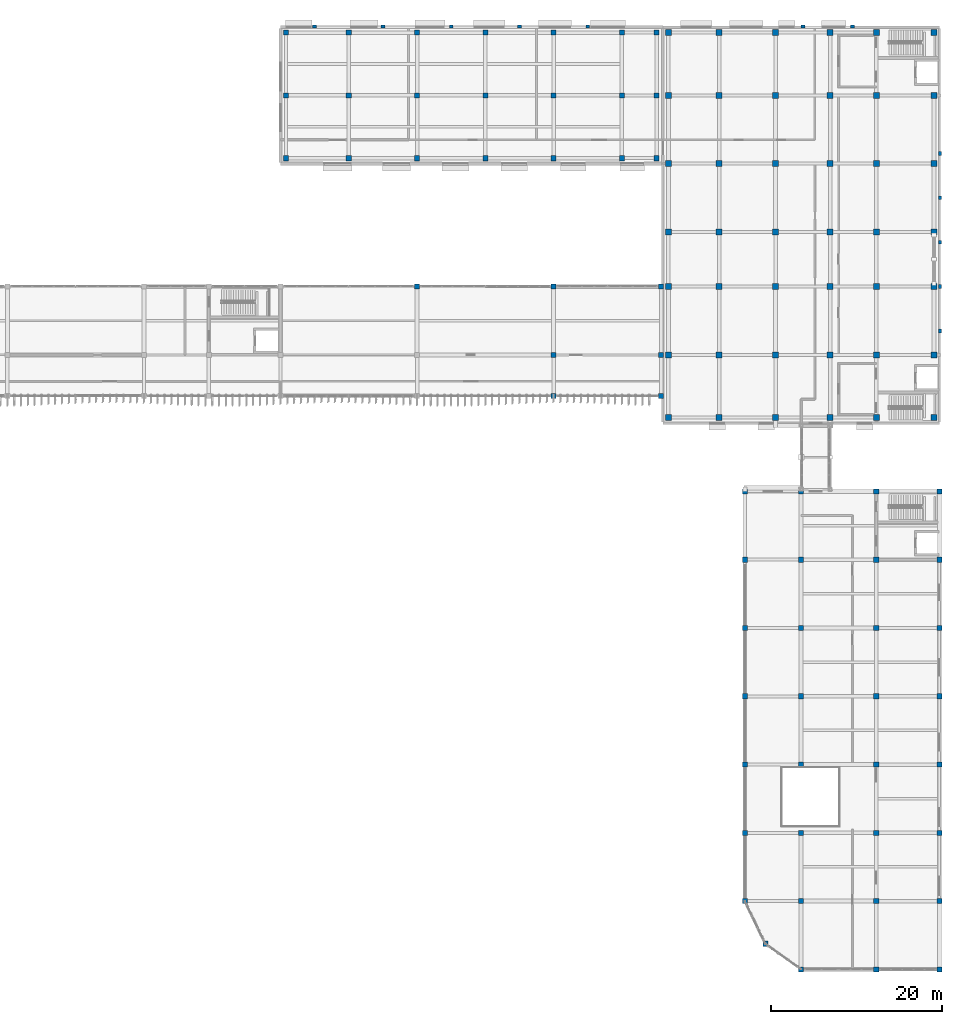
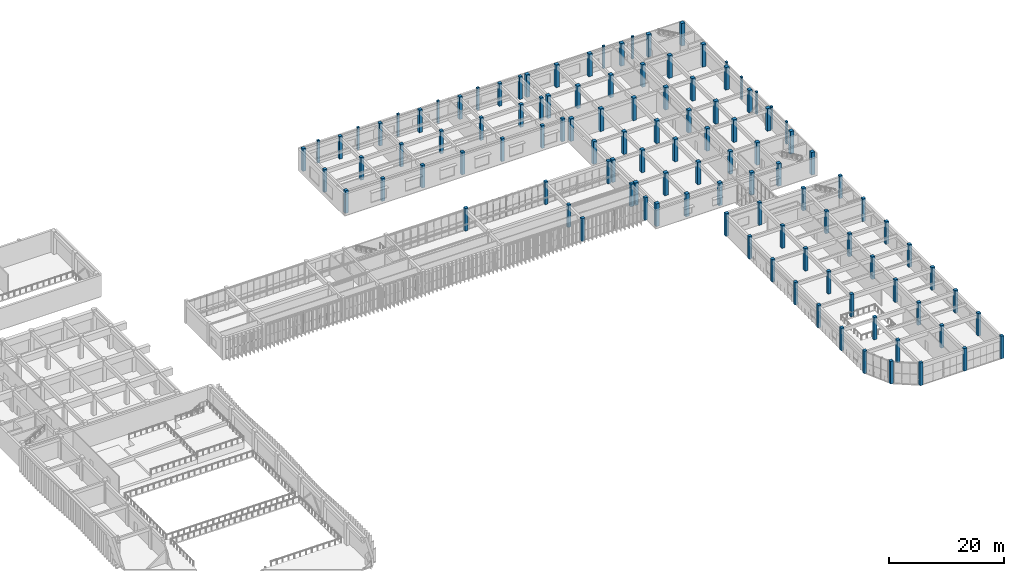
# One storey, part 3 of 64: 114 columns.
"""IFC4 building model written with IfcOpenShell, lengths in metres."""

from ifc_helpers import new_model, si_unit, direction, frame, origin, origin_2d, place, context, subcontext, project, spatial, rectangle, extrude, material, material_profile, profile_set, type_object, element, save


model = new_model("IFC4")

# Units and contexts
model_context = context("Model", 3, precision=1e-05, world=origin(), true_north=direction((0.0, 1.0)))
body_context = subcontext(model_context, "Body", "Model", "MODEL_VIEW")
ifc_project = project(units=[si_unit("LENGTHUNIT", "METRE"), si_unit("AREAUNIT", "SQUARE_METRE"), si_unit("VOLUMEUNIT", "CUBIC_METRE"), si_unit("PLANEANGLEUNIT", "RADIAN"), si_unit("MASSUNIT", "GRAM", prefix="KILO")], contexts=[model_context])

# Site, building, storey
site_placement = place(None, origin())
site = spatial("IfcSite", under=ifc_project, at=site_placement, CompositionType="ELEMENT")
building_placement = place(site_placement, origin())
building = spatial("IfcBuilding", under=site, at=building_placement, Name="Cinchona Park Media Centre", CompositionType="ELEMENT")
storey_placement = place(building_placement, frame((0.0, 0.0, 5.39990234375)))
storey = spatial("IfcBuildingStorey", under=building, at=storey_placement, Name="L01", CompositionType="ELEMENT", Elevation=5.39990234375)

# Columns
ifc_material_1 = material(Name="Concrete C40/50", Category="concrete")
ifc_material_profile_1 = material_profile(ifc_material_1, rectangle(XDim=0.699951171875, YDim=0.699951171875, at=origin_2d()), Name="RC 700X700")
ifc_profile_set_1 = profile_set([ifc_material_profile_1], Name="Concrete C40/50")
column_type_1 = type_object("IfcColumnType", Name="COL-C02-RC700X700", PredefinedType="COLUMN", material=ifc_profile_set_1)
for number, where, z_axis, x_axis, name in (
    (1, (140.239990234375, 72.239990234375, 0.0), (0.0, 0.0, 1.0), (1.0, 0.0, 0.0), "Column C02 L01"),
    (2, (140.239990234375, 79.60009765625, 0.0), (0.0, 0.0, 1.0), (1.0, 0.0, 0.0), "Column C02 L01"),
    (3, (140.239990234375, 87.60009765625, 0.0), (0.0, 0.0, 1.0), (1.0, 0.0, 0.0), "Column C02 L01"),
    (4, (140.239990234375, 94.0, 0.0), (0.0, 0.0, 1.0), (1.0, 0.0, 0.0), "Column C02 L01"),
    (5, (140.239990234375, 102.0, 0.0), (0.0, 0.0, 1.0), (1.0, 0.0, 0.0), "Column C02 L01"),
    (6, (140.239990234375, 110.0, 0.0), (0.0, 0.0, 1.0), (1.0, 0.0, 0.0), "Column C02 L01"),
    (7, (140.239990234375, 117.360107421875, 0.0), (0.0, 0.0, 1.0), (1.0, 0.0, 0.0), "Column C02 L01"),
    (8, (146.199951171875, 72.239990234375, 0.0), (0.0, 0.0, 1.0), (1.0, 0.0, 0.0), "Column C02 L01"),
    (9, (146.199951171875, 79.60009765625, 0.0), (0.0, 0.0, 1.0), (1.0, 0.0, 0.0), "Column C02 L01"),
    (10, (146.199951171875, 87.60009765625, 0.0), (0.0, 0.0, 1.0), (1.0, 0.0, 0.0), "Column C02 L01"),
    (11, (146.199951171875, 94.0, 0.0), (0.0, 0.0, 1.0), (1.0, 0.0, 0.0), "Column C02 L01"),
    (12, (146.199951171875, 102.0, 0.0), (0.0, 0.0, 1.0), (1.0, 0.0, 0.0), "Column C02 L01"),
    (13, (146.199951171875, 110.0, 0.0), (0.0, 0.0, 1.0), (1.0, 0.0, 0.0), "Column C02 L01"),
    (14, (146.199951171875, 117.360107421875, 0.0), (0.0, 0.0, 1.0), (1.0, 0.0, 0.0), "Column C02 L01"),
    (15, (152.800048828125, 72.239990234375, 0.0), (0.0, 0.0, 1.0), (1.0, 0.0, 0.0), "Column C02 L01"),
    (16, (152.800048828125, 79.60009765625, 0.0), (0.0, 0.0, 1.0), (1.0, 0.0, 0.0), "Column C02 L01"),
    (17, (152.800048828125, 87.60009765625, 0.0), (0.0, 0.0, 1.0), (1.0, 0.0, 0.0), "Column C02 L01"),
    (18, (152.800048828125, 94.0, 0.0), (0.0, 0.0, 1.0), (1.0, 0.0, 0.0), "Column C02 L01"),
    (19, (152.800048828125, 102.0, 0.0), (0.0, 0.0, 1.0), (1.0, 0.0, 0.0), "Column C02 L01"),
    (20, (152.800048828125, 110.0, 0.0), (0.0, 0.0, 1.0), (1.0, 0.0, 0.0), "Column C02 L01"),
    (21, (152.800048828125, 117.360107421875, 0.0), (0.0, 0.0, 1.0), (1.0, 0.0, 0.0), "Column C02 L01"),
    (22, (159.199951171875, 72.239990234375, 0.0), (0.0, 0.0, 1.0), (1.0, 0.0, 0.0), "Column C02 L01"),
    (23, (159.199951171875, 79.60009765625, 0.0), (0.0, 0.0, 1.0), (1.0, 0.0, 0.0), "Column C02 L01"),
    (24, (159.199951171875, 87.60009765625, 0.0), (0.0, 0.0, 1.0), (1.0, 0.0, 0.0), "Column C02 L01"),
    (25, (159.199951171875, 94.0, 0.0), (0.0, 0.0, 1.0), (1.0, 0.0, 0.0), "Column C02 L01"),
    (26, (159.199951171875, 102.0, 0.0), (0.0, 0.0, 1.0), (1.0, 0.0, 0.0), "Column C02 L01"),
    (27, (159.199951171875, 110.0, 0.0), (0.0, 0.0, 1.0), (1.0, 0.0, 0.0), "Column C02 L01"),
    (28, (159.199951171875, 117.360107421875, 0.0), (0.0, 0.0, 1.0), (1.0, 0.0, 0.0), "Column C02 L01"),
    (29, (164.60009765625, 72.239990234375, 0.0), (0.0, 0.0, 1.0), (1.0, 0.0, 0.0), "Column C02 L01"),
    (30, (164.60009765625, 79.60009765625, 0.0), (0.0, 0.0, 1.0), (1.0, 0.0, 0.0), "Column C02 L01"),
    (31, (164.60009765625, 87.60009765625, 0.0), (0.0, 0.0, 1.0), (1.0, 0.0, 0.0), "Column C02 L01"),
    (32, (164.60009765625, 94.0, 0.0), (0.0, 0.0, 1.0), (1.0, 0.0, 0.0), "Column C02 L01"),
    (33, (164.60009765625, 102.0, 0.0), (0.0, 0.0, 1.0), (1.0, 0.0, 0.0), "Column C02 L01"),
    (34, (164.60009765625, 110.0, 0.0), (0.0, 0.0, 1.0), (1.0, 0.0, 0.0), "Column C02 L01"),
    (35, (164.60009765625, 117.360107421875, 0.0), (0.0, 0.0, 1.0), (1.0, 0.0, 0.0), "Column C02 L01"),
    (36, (171.360107421875, 72.239990234375, 0.0), (0.0, 0.0, 1.0), (1.0, 0.0, 0.0), "Column C02 L01"),
    (37, (171.360107421875, 79.60009765625, 0.0), (0.0, 0.0, 1.0), (1.0, 0.0, 0.0), "Column C02 L01"),
    (38, (171.360107421875, 87.60009765625, 0.0), (0.0, 0.0, 1.0), (1.0, 0.0, 0.0), "Column C02 L01"),
    (39, (171.360107421875, 94.0, 0.0), (0.0, 0.0, 1.0), (1.0, 0.0, 0.0), "Column C02 L01"),
    (40, (171.360107421875, 102.0, 0.0), (0.0, 0.0, 1.0), (1.0, 0.0, 0.0), "Column C02 L01"),
    (41, (171.360107421875, 110.0, 0.0), (0.0, 0.0, 1.0), (1.0, 0.0, 0.0), "Column C02 L01"),
    (42, (171.360107421875, 117.360107421875, 0.0), (0.0, 0.0, 1.0), (1.0, 0.0, 0.0), "Column C02 L01"),
):
    element("IfcColumn", number, at=place(storey_placement, frame(where, z_axis=z_axis, x_axis=x_axis)), inside=storey, type_object=column_type_1, Name=name, PredefinedType="COLUMN", context=body_context, shape_type="SweptSolid", body=[
        extrude(rectangle(XDim=0.699951171875, YDim=0.699951171875, at=origin_2d()), origin(), (0.0, 0.0, 1.0), 4.800048828125),
    ])
ifc_material_2 = material(Name="Concrete C40/50", Category="concrete")
ifc_material_profile_2 = material_profile(ifc_material_2, rectangle(XDim=0.60009765625, YDim=0.60009765625, at=origin_2d()), Name="RC 600X600")
ifc_profile_set_2 = profile_set([ifc_material_profile_2], Name="Concrete C40/50")
column_type_2 = type_object("IfcColumnType", Name="COL-C03-RC600X600", PredefinedType="COLUMN", material=ifc_profile_set_2)
for number, where, z_axis, x_axis, name in (
    (43, (95.43994140625, 102.639892578125, 0.0), (0.0, 0.0, 1.0), (1.0, 0.0, 0.0), "Column C03 L01"),
    (44, (95.43994140625, 110.0, 0.0), (0.0, 0.0, 1.0), (1.0, 0.0, 0.0), "Column C03 L01"),
    (45, (95.43994140625, 117.360107421875, 0.0), (0.0, 0.0, 1.0), (1.0, 0.0, 0.0), "Column C03 L01"),
    (46, (102.800048828125, 102.639892578125, 0.0), (0.0, 0.0, 1.0), (1.0, 0.0, 0.0), "Column C03 L01"),
    (47, (102.800048828125, 110.0, 0.0), (0.0, 0.0, 1.0), (1.0, 0.0, 0.0), "Column C03 L01"),
    (48, (102.800048828125, 117.360107421875, 0.0), (0.0, 0.0, 1.0), (1.0, 0.0, 0.0), "Column C03 L01"),
    (49, (110.800048828125, 102.639892578125, 0.0), (0.0, 0.0, 1.0), (1.0, 0.0, 0.0), "Column C03 L01"),
    (50, (110.800048828125, 110.0, 0.0), (0.0, 0.0, 1.0), (1.0, 0.0, 0.0), "Column C03 L01"),
    (51, (110.800048828125, 117.360107421875, 0.0), (0.0, 0.0, 1.0), (1.0, 0.0, 0.0), "Column C03 L01"),
    (52, (118.800048828125, 102.639892578125, 0.0), (0.0, 0.0, 1.0), (1.0, 0.0, 0.0), "Column C03 L01"),
    (53, (118.800048828125, 110.0, 0.0), (0.0, 0.0, 1.0), (1.0, 0.0, 0.0), "Column C03 L01"),
    (54, (118.800048828125, 117.360107421875, 0.0), (0.0, 0.0, 1.0), (1.0, 0.0, 0.0), "Column C03 L01"),
    (55, (126.800048828125, 102.639892578125, 0.0), (0.0, 0.0, 1.0), (1.0, 0.0, 0.0), "Column C03 L01"),
    (56, (126.800048828125, 110.0, 0.0), (0.0, 0.0, 1.0), (1.0, 0.0, 0.0), "Column C03 L01"),
    (57, (126.800048828125, 117.360107421875, 0.0), (0.0, 0.0, 1.0), (1.0, 0.0, 0.0), "Column C03 L01"),
    (58, (134.800048828125, 102.639892578125, 0.0), (0.0, 0.0, 1.0), (1.0, 0.0, 0.0), "Column C03 L01"),
    (59, (134.800048828125, 110.0, 0.0), (0.0, 0.0, 1.0), (1.0, 0.0, 0.0), "Column C03 L01"),
    (60, (134.800048828125, 117.360107421875, 0.0), (0.0, 0.0, 1.0), (1.0, 0.0, 0.0), "Column C03 L01"),
    (61, (138.860107421875, 102.639892578125, 0.0), (0.0, 0.0, 1.0), (1.0, 0.0, 0.0), "Column C03 L01"),
    (62, (138.860107421875, 110.0, 0.0), (0.0, 0.0, 1.0), (1.0, 0.0, 0.0), "Column C03 L01"),
    (63, (138.860107421875, 117.360107421875, 0.0), (0.0, 0.0, 1.0), (1.0, 0.0, 0.0), "Column C03 L01"),
    (64, (110.800048828125, 87.60009765625, 0.0), (0.0, 0.0, 1.0), (1.0, 0.0, 0.0), "Column C03 L01"),
    (65, (126.800048828125, 74.800048828125, 0.0), (0.0, 0.0, 1.0), (1.0, 0.0, 0.0), "Column C03 L01"),
    (66, (126.800048828125, 79.60009765625, 0.0), (0.0, 0.0, 1.0), (1.0, 0.0, 0.0), "Column C03 L01"),
    (67, (126.800048828125, 87.60009765625, 0.0), (0.0, 0.0, 1.0), (1.0, 0.0, 0.0), "Column C03 L01"),
    (68, (139.39990234375, 74.800048828125, 0.0), (0.0, 0.0, 1.0), (1.0, 0.0, 0.0), "Column C03 L01"),
    (69, (139.39990234375, 79.60009765625, 0.0), (0.0, 0.0, 1.0), (1.0, 0.0, 0.0), "Column C03 L01"),
    (70, (139.39990234375, 87.60009765625, 0.0), (0.0, 0.0, 1.0), (1.0, 0.0, 0.0), "Column C03 L01"),
    (71, (149.199951171875, 15.60009765625, 0.0), (0.0, 0.0, 1.0), (1.0, 0.0, 0.0), "Column C03 L01"),
    (72, (149.199951171875, 23.60009765625, 0.0), (0.0, 0.0, 1.0), (1.0, 0.0, 0.0), "Column C03 L01"),
    (73, (149.199951171875, 31.60009765625, 0.0), (0.0, 0.0, 1.0), (1.0, 0.0, 0.0), "Column C03 L01"),
    (74, (149.199951171875, 39.60009765625, 0.0), (0.0, 0.0, 1.0), (1.0, 0.0, 0.0), "Column C03 L01"),
    (75, (149.199951171875, 47.60009765625, 0.0), (0.0, 0.0, 1.0), (1.0, 0.0, 0.0), "Column C03 L01"),
    (76, (149.199951171875, 55.60009765625, 0.0), (0.0, 0.0, 1.0), (1.0, 0.0, 0.0), "Column C03 L01"),
    (77, (149.199951171875, 63.60009765625, 0.0), (0.0, 0.0, 1.0), (1.0, 0.0, 0.0), "Column C03 L01"),
    (78, (151.60009765625, 10.60009765625, 0.0), (0.0, 0.0, 1.0), (1.0, 0.0, 0.0), "Column C03 L01"),
    (79, (155.800048828125, 7.60009765625, 0.0), (0.0, 0.0, 1.0), (1.0, 0.0, 0.0), "Column C03 L01"),
    (80, (155.800048828125, 15.60009765625, 0.0), (0.0, 0.0, 1.0), (1.0, 0.0, 0.0), "Column C03 L01"),
    (81, (155.800048828125, 23.60009765625, 0.0), (0.0, 0.0, 1.0), (1.0, 0.0, 0.0), "Column C03 L01"),
    (82, (155.800048828125, 31.60009765625, 0.0), (0.0, 0.0, 1.0), (1.0, 0.0, 0.0), "Column C03 L01"),
    (83, (155.800048828125, 39.60009765625, 0.0), (0.0, 0.0, 1.0), (1.0, 0.0, 0.0), "Column C03 L01"),
    (84, (155.800048828125, 47.60009765625, 0.0), (0.0, 0.0, 1.0), (1.0, 0.0, 0.0), "Column C03 L01"),
    (85, (155.800048828125, 55.60009765625, 0.0), (0.0, 0.0, 1.0), (1.0, 0.0, 0.0), "Column C03 L01"),
    (86, (155.800048828125, 63.60009765625, 0.0), (0.0, 0.0, 1.0), (1.0, 0.0, 0.0), "Column C03 L01"),
    (87, (164.60009765625, 7.60009765625, 0.0), (0.0, 0.0, 1.0), (1.0, 0.0, 0.0), "Column C03 L01"),
    (88, (164.60009765625, 15.60009765625, 0.0), (0.0, 0.0, 1.0), (1.0, 0.0, 0.0), "Column C03 L01"),
    (89, (164.60009765625, 23.60009765625, 0.0), (0.0, 0.0, 1.0), (1.0, 0.0, 0.0), "Column C03 L01"),
    (90, (164.60009765625, 31.60009765625, 0.0), (0.0, 0.0, 1.0), (1.0, 0.0, 0.0), "Column C03 L01"),
    (91, (164.60009765625, 39.60009765625, 0.0), (0.0, 0.0, 1.0), (1.0, 0.0, 0.0), "Column C03 L01"),
    (92, (164.60009765625, 47.60009765625, 0.0), (0.0, 0.0, 1.0), (1.0, 0.0, 0.0), "Column C03 L01"),
    (93, (164.60009765625, 55.60009765625, 0.0), (0.0, 0.0, 1.0), (1.0, 0.0, 0.0), "Column C03 L01"),
    (94, (164.60009765625, 63.60009765625, 0.0), (0.0, 0.0, 1.0), (1.0, 0.0, 0.0), "Column C03 L01"),
    (95, (172.0, 7.60009765625, 0.0), (0.0, 0.0, 1.0), (1.0, 0.0, 0.0), "Column C03 L01"),
    (96, (172.0, 15.60009765625, 0.0), (0.0, 0.0, 1.0), (1.0, 0.0, 0.0), "Column C03 L01"),
    (97, (172.0, 23.60009765625, 0.0), (0.0, 0.0, 1.0), (1.0, 0.0, 0.0), "Column C03 L01"),
    (98, (172.0, 31.60009765625, 0.0), (0.0, 0.0, 1.0), (1.0, 0.0, 0.0), "Column C03 L01"),
    (99, (172.0, 39.60009765625, 0.0), (0.0, 0.0, 1.0), (1.0, 0.0, 0.0), "Column C03 L01"),
    (100, (172.0, 47.60009765625, 0.0), (0.0, 0.0, 1.0), (1.0, 0.0, 0.0), "Column C03 L01"),
    (101, (172.0, 55.60009765625, 0.0), (0.0, 0.0, 1.0), (1.0, 0.0, 0.0), "Column C03 L01"),
    (102, (172.0, 63.60009765625, 0.0), (0.0, 0.0, 1.0), (1.0, 0.0, 0.0), "Column C03 L01"),
):
    element("IfcColumn", number, at=place(storey_placement, frame(where, z_axis=z_axis, x_axis=x_axis)), inside=storey, type_object=column_type_2, Name=name, PredefinedType="COLUMN", context=body_context, shape_type="SweptSolid", body=[
        extrude(rectangle(XDim=0.60009765625, YDim=0.60009765625, at=origin_2d()), origin(), (0.0, 0.0, 1.0), 4.800048828125),
    ])
ifc_material_3 = material(Name="Concrete C40/50", Category="concrete")
ifc_material_profile_3 = material_profile(ifc_material_3, rectangle(XDim=0.35009765625, YDim=0.449951171875, at=origin_2d()), Name="RC 350X450")
ifc_profile_set_3 = profile_set([ifc_material_profile_3], Name="Concrete C40/50")
column_type_3 = type_object("IfcColumnType", Name="COL-CP01-RC350X450", PredefinedType="PILASTER", material=ifc_profile_set_3)
for number, where, z_axis, x_axis, name in (
    (103, (98.800048828125, 118.080078125, 0.0), (0.0, 0.0, 1.0), (0.0, 1.0, 0.0), "Pilaster CP01 L01"),
    (104, (106.800048828125, 118.080078125, 0.0), (0.0, 0.0, 1.0), (0.0, 1.0, 0.0), "Pilaster CP01 L01"),
    (105, (114.800048828125, 118.080078125, 0.0), (0.0, 0.0, 1.0), (0.0, 1.0, 0.0), "Pilaster CP01 L01"),
    (106, (122.800048828125, 118.080078125, 0.0), (0.0, 0.0, 1.0), (0.0, 1.0, 0.0), "Pilaster CP01 L01"),
    (107, (130.800048828125, 118.080078125, 0.0), (0.0, 0.0, 1.0), (0.0, 1.0, 0.0), "Pilaster CP01 L01"),
    (108, (172.080078125, 82.39990234375, 0.0), (0.0, 0.0, 1.0), (1.0, 0.0, 0.0), "Pilaster CP01 L01"),
    (109, (172.080078125, 87.60009765625, 0.0), (0.0, 0.0, 1.0), (1.0, 0.0, 0.0), "Pilaster CP01 L01"),
    (110, (172.080078125, 92.800048828125, 0.0), (0.0, 0.0, 1.0), (1.0, 0.0, 0.0), "Pilaster CP01 L01"),
    (111, (172.080078125, 98.0, 0.0), (0.0, 0.0, 1.0), (1.0, 0.0, 0.0), "Pilaster CP01 L01"),
    (112, (172.080078125, 103.199951171875, 0.0), (0.0, 0.0, 1.0), (1.0, 0.0, 0.0), "Pilaster CP01 L01"),
    (113, (156.0, 118.080078125, 0.0), (0.0, 0.0, 1.0), (0.0, 1.0, 0.0), "Pilaster CP01 L01"),
    (114, (161.800048828125, 118.080078125, 0.0), (0.0, 0.0, 1.0), (0.0, 1.0, 0.0), "Pilaster CP01 L01"),
):
    element("IfcColumn", number, at=place(storey_placement, frame(where, z_axis=z_axis, x_axis=x_axis)), inside=storey, type_object=column_type_3, Name=name, PredefinedType="PILASTER", context=body_context, shape_type="SweptSolid", body=[
        extrude(rectangle(XDim=0.35009765625, YDim=0.449951171875, at=origin_2d()), origin(), (0.0, 0.0, 1.0), 4.800048828125),
    ])

save(model, "model.ifc")
